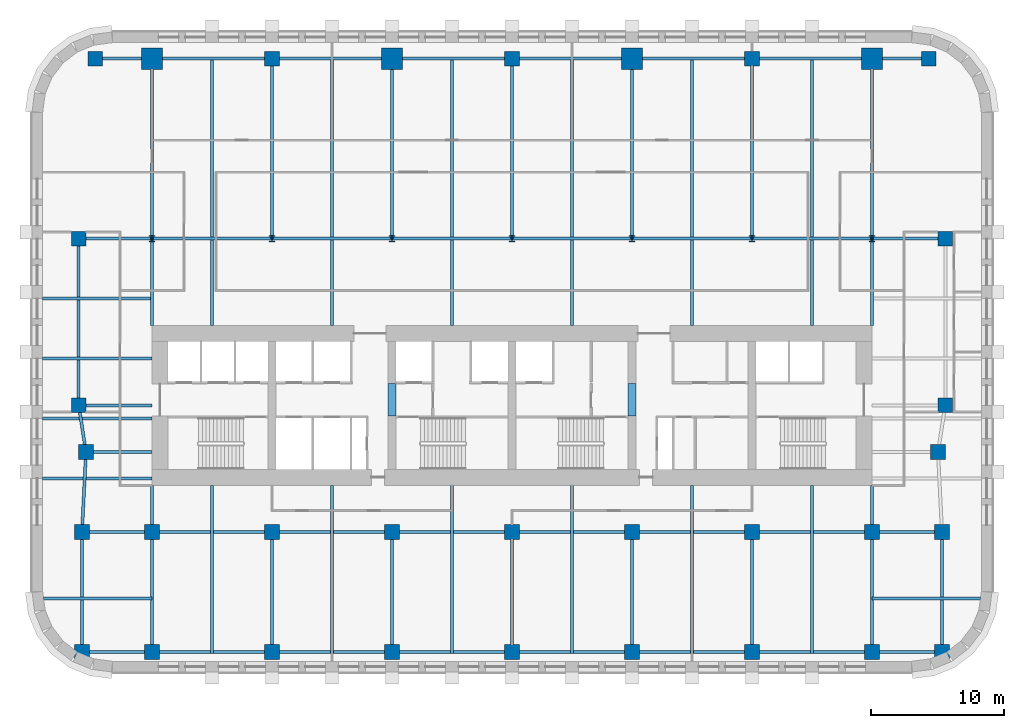
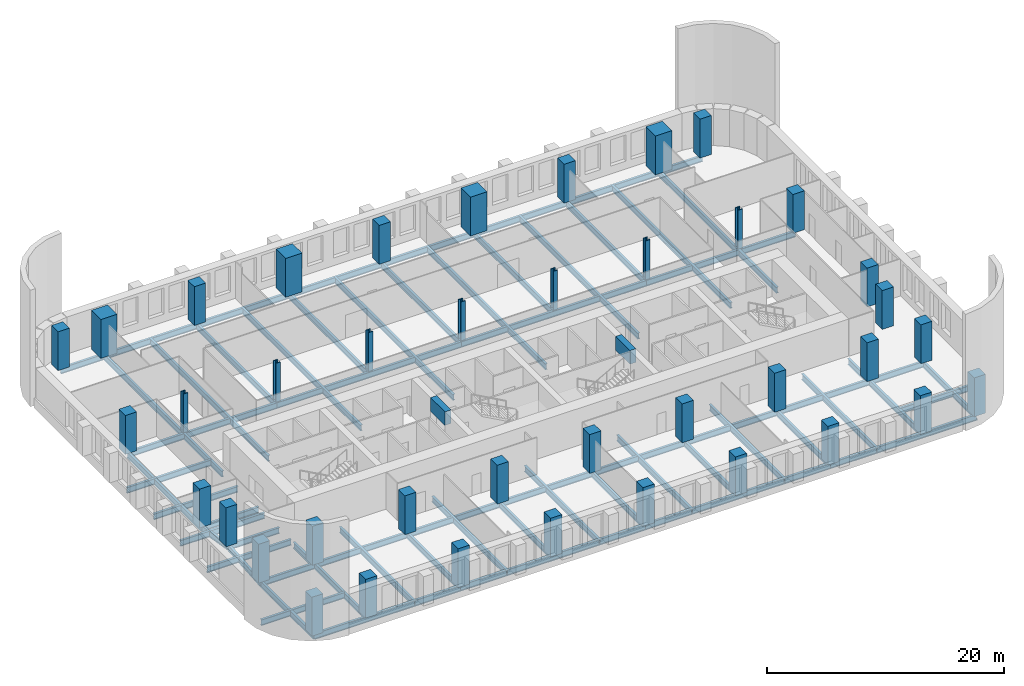
# One storey, part 1 of 12: 59 beams, 40 columns.
"""IFC4 building model written with IfcOpenShell, lengths in metres."""

from ifc_helpers import new_model, si_unit, direction, frame, origin, origin_2d, place, context, subcontext, project, spatial, rectangle, i_section, extrude, material, material_profile, profile_set, type_object, element, save


model = new_model("IFC4")

# Units and contexts
model_context = context("Model", 3, precision=1e-05, world=origin(), true_north=direction((0.0, 1.0)))
body_context = subcontext(model_context, "Body", "Model", "MODEL_VIEW")
ifc_project = project(units=[si_unit("LENGTHUNIT", "METRE"), si_unit("AREAUNIT", "SQUARE_METRE"), si_unit("VOLUMEUNIT", "CUBIC_METRE"), si_unit("PLANEANGLEUNIT", "RADIAN"), si_unit("MASSUNIT", "GRAM", prefix="KILO")], contexts=[model_context])

# Site, building, storey
site_placement = place(None, origin())
site = spatial("IfcSite", under=ifc_project, at=site_placement, CompositionType="ELEMENT")
building_placement = place(site_placement, origin())
building = spatial("IfcBuilding", under=site, at=building_placement, Name="Zellij Exchange Tower", CompositionType="ELEMENT")
storey_placement = place(building_placement, frame((0.0, 0.0, 88.5)))
storey = spatial("IfcBuildingStorey", under=building, at=storey_placement, Name="L18", CompositionType="ELEMENT", Elevation=88.5)

# Columns
ifc_material_1 = material(Name="Concrete C70/85", Category="concrete")
ifc_material_profile_1 = material_profile(ifc_material_1, rectangle(XDim=1.10009765625, YDim=1.10009765625, at=origin_2d()), Name="STR-COLUMN RC1100x1100 C70/85")
ifc_profile_set_1 = profile_set([ifc_material_profile_1], Name="Concrete C70/85")
column_type_1 = type_object("IfcColumnType", Name="STR-COLUMN RC1100x1100 C70/85", PredefinedType="COLUMN", material=ifc_profile_set_1)
for number, where, z_axis, x_axis, name in (
    (1, (-32.25, -26.5, 0.0), (0.0, 0.0, 1.0), (1.0, 0.0, 0.0), "C11"),
    (2, (-27.0, -26.5, 0.0), (0.0, 0.0, 1.0), (1.0, 0.0, 0.0), "C11"),
    (3, (-18.0, -26.5, 0.0), (0.0, 0.0, 1.0), (1.0, 0.0, 0.0), "C11"),
    (4, (-9.0, -26.5, 0.0), (0.0, 0.0, 1.0), (1.0, 0.0, 0.0), "C11"),
    (5, (0.0, -26.5, 0.0), (0.0, 0.0, 1.0), (1.0, 0.0, 0.0), "C11"),
    (6, (9.0, -26.5, 0.0), (0.0, 0.0, 1.0), (1.0, 0.0, 0.0), "C11"),
    (7, (18.0, -26.5, 0.0), (0.0, 0.0, 1.0), (1.0, 0.0, 0.0), "C11"),
    (8, (27.0, -26.5, 0.0), (0.0, 0.0, 1.0), (1.0, 0.0, 0.0), "C11"),
    (9, (32.25, -26.5, 0.0), (0.0, 0.0, 1.0), (1.0, 0.0, 0.0), "C11"),
    (10, (-32.25, -17.5, 0.0), (0.0, 0.0, 1.0), (1.0, 0.0, 0.0), "C11"),
    (11, (-27.0, -17.5, 0.0), (0.0, 0.0, 1.0), (1.0, 0.0, 0.0), "C11"),
    (12, (-18.0, -17.5, 0.0), (0.0, 0.0, 1.0), (1.0, 0.0, 0.0), "C11"),
    (13, (-9.0, -17.5, 0.0), (0.0, 0.0, 1.0), (1.0, 0.0, 0.0), "C11"),
    (14, (0.0, -17.5, 0.0), (0.0, 0.0, 1.0), (1.0, 0.0, 0.0), "C11"),
    (15, (9.0, -17.5, 0.0), (0.0, 0.0, 1.0), (1.0, 0.0, 0.0), "C11"),
    (16, (18.0, -17.5, 0.0), (0.0, 0.0, 1.0), (1.0, 0.0, 0.0), "C11"),
    (17, (27.0, -17.5, 0.0), (0.0, 0.0, 1.0), (1.0, 0.0, 0.0), "C11"),
    (18, (32.25, -17.5, 0.0), (0.0, 0.0, 1.0), (1.0, 0.0, 0.0), "C11"),
    (19, (-31.949951171875, -11.5, 0.0), (0.0, 0.0, 1.0), (1.0, 0.0, 0.0), "C11"),
    (20, (31.949951171875, -11.5, 0.0), (0.0, 0.0, 1.0), (1.0, 0.0, 0.0), "C11"),
    (21, (-32.5, -8.0, 0.0), (0.0, 0.0, 1.0), (1.0, 0.0, 0.0), "C11"),
    (22, (32.5, -8.0, 0.0), (0.0, 0.0, 1.0), (1.0, 0.0, 0.0), "C11"),
    (23, (-32.5, 4.5, 0.0), (0.0, 0.0, 1.0), (1.0, 0.0, 0.0), "C11"),
    (24, (32.5, 4.5, 0.0), (0.0, 0.0, 1.0), (1.0, 0.0, 0.0), "C11"),
    (25, (-31.25, 18.0, 0.0), (0.0, 0.0, 1.0), (1.0, 0.0, 0.0), "C11"),
    (26, (-18.0, 18.0, 0.0), (0.0, 0.0, 1.0), (1.0, 0.0, 0.0), "C11"),
    (27, (0.0, 18.0, 0.0), (0.0, 0.0, 1.0), (1.0, 0.0, 0.0), "C11"),
    (28, (18.0, 18.0, 0.0), (0.0, 0.0, 1.0), (1.0, 0.0, 0.0), "C11"),
    (29, (31.25, 18.0, 0.0), (0.0, 0.0, 1.0), (1.0, 0.0, 0.0), "C11"),
):
    element("IfcColumn", number, at=place(storey_placement, frame(where, z_axis=z_axis, x_axis=x_axis)), inside=storey, type_object=column_type_1, Name=name, PredefinedType="COLUMN", context=body_context, shape_type="SweptSolid", body=[
        extrude(rectangle(XDim=1.10009765625, YDim=1.10009765625, at=origin_2d()), origin(), (0.0, 0.0, 1.0), 4.0),
    ])
ifc_material_2 = material(Name="Structural steel ASTM A913 Gr 65", Category="steel")
ifc_material_profile_2 = material_profile(ifc_material_2, i_section(OverallWidth=0.431884765625, OverallDepth=0.497802734375, WebThickness=0.0556640625, FlangeThickness=0.0888671875, at=origin_2d()), Name="W14x500")
ifc_profile_set_2 = profile_set([ifc_material_profile_2], Name="Structural steel ASTM A913 Gr 65")
column_type_2 = type_object("IfcColumnType", Name="STR-COLUMN W14x500", PredefinedType="COLUMN", material=ifc_profile_set_2)
for number, where, z_axis, x_axis, name in (
    (30, (-27.0, 4.5, 0.0), (0.0, 0.0, 1.0), (1.0, 0.0, 0.0), "C5"),
    (31, (-18.0, 4.5, 0.0), (0.0, 0.0, 1.0), (1.0, 0.0, 0.0), "C5"),
    (32, (-9.0, 4.5, 0.0), (0.0, 0.0, 1.0), (1.0, 0.0, 0.0), "C5"),
    (33, (0.0, 4.5, 0.0), (0.0, 0.0, 1.0), (1.0, 0.0, 0.0), "C5"),
    (34, (9.0, 4.5, 0.0), (0.0, 0.0, 1.0), (1.0, 0.0, 0.0), "C5"),
    (35, (18.0, 4.5, 0.0), (0.0, 0.0, 1.0), (1.0, 0.0, 0.0), "C5"),
    (36, (27.0, 4.5, 0.0), (0.0, 0.0, 1.0), (1.0, 0.0, 0.0), "C5"),
):
    element("IfcColumn", number, at=place(storey_placement, frame(where, z_axis=z_axis, x_axis=x_axis)), inside=storey, type_object=column_type_2, Name=name, PredefinedType="COLUMN", context=body_context, shape_type="SweptSolid", body=[
        extrude(i_section(OverallWidth=0.431884765625, OverallDepth=0.497802734375, WebThickness=0.0556640625, FlangeThickness=0.0888671875, at=origin_2d()), origin(), (0.0, 0.0, 1.0), 4.0),
    ])
ifc_material_profile_3 = material_profile(ifc_material_1, rectangle(XDim=1.60009765625, YDim=1.60009765625, at=origin_2d()), Name="STR-MEGA COLUMN RC1600x1600 C70/85")
ifc_profile_set_3 = profile_set([ifc_material_profile_3], Name="Concrete C70/85")
column_type_3 = type_object("IfcColumnType", Name="STR-MEGA COLUMN RC1600x1600 C70/85", PredefinedType="COLUMN", material=ifc_profile_set_3)
for number, where, z_axis, x_axis, name in (
    (37, (-27.0, 18.0, 0.0), (0.0, 0.0, 1.0), (1.0, 0.0, 0.0), "MC6"),
    (38, (-9.0, 18.0, 0.0), (0.0, 0.0, 1.0), (1.0, 0.0, 0.0), "MC6"),
    (39, (9.0, 18.0, 0.0), (0.0, 0.0, 1.0), (1.0, 0.0, 0.0), "MC6"),
    (40, (27.0, 18.0, 0.0), (0.0, 0.0, 1.0), (1.0, 0.0, 0.0), "MC6"),
):
    element("IfcColumn", number, at=place(storey_placement, frame(where, z_axis=z_axis, x_axis=x_axis)), inside=storey, type_object=column_type_3, Name=name, PredefinedType="COLUMN", context=body_context, shape_type="SweptSolid", body=[
        extrude(rectangle(XDim=1.60009765625, YDim=1.60009765625, at=origin_2d()), origin(), (0.0, 0.0, 1.0), 4.0),
    ])

# Beams
ifc_material_profile_4 = material_profile(ifc_material_1, rectangle(XDim=0.60009765625, YDim=1.39990234375, at=origin_2d()), Name="CORE-CB 600x1400 C70/85")
ifc_profile_set_4 = profile_set([ifc_material_profile_4], Name="Concrete C70/85")
beam_type_1 = type_object("IfcBeamType", Name="CORE-CB 600x1400 C70/85", PredefinedType="BEAM", material=ifc_profile_set_4)
for number, where, z_axis, x_axis, name in (
    (41, (-9.0, -8.800048828125, 3.10009765625), (0.0, 1.0, 0.0), (-1.0, 0.0, 0.0), "Core coupling beam x -9 L18"),
    (42, (9.0, -8.800048828125, 3.10009765625), (0.0, 1.0, 0.0), (-1.0, 0.0, 0.0), "Core coupling beam x 9 L18"),
):
    element("IfcBeam", number, at=place(storey_placement, frame(where, z_axis=z_axis, x_axis=x_axis)), inside=storey, type_object=beam_type_1, Name=name, PredefinedType="BEAM", context=body_context, shape_type="SweptSolid", body=[
        extrude(rectangle(XDim=0.60009765625, YDim=1.39990234375, at=origin_2d()), origin(), (0.0, 0.0, 1.0), 2.425048828125),
    ])
ifc_material_3 = material(Name="Structural steel ASTM A992 Gr 50", Category="steel")
ifc_material_profile_5 = material_profile(ifc_material_3, i_section(OverallWidth=0.227783203125, OverallDepth=0.60205078125, WebThickness=0.010498046875, FlangeThickness=0.014892578125, at=origin_2d()), Name="W24x68")
ifc_profile_set_5 = profile_set([ifc_material_profile_5], Name="Structural steel ASTM A992 Gr 50")
beam_type_2 = type_object("IfcBeamType", Name="STR-BEAM W24x68", PredefinedType="BEAM", material=ifc_profile_set_5)
beam_1_placement = place(storey_placement, frame((-22.5, -26.614501953125, -0.5009765625), z_axis=(0.0, 1.0, 0.0), x_axis=(-1.0, 0.0, 0.0)))
element("IfcBeam", 43, at=beam_1_placement, inside=storey, type_object=beam_type_2, Name="B5", PredefinedType="BEAM", context=body_context, shape_type="SweptSolid", body=[
    extrude(i_section(OverallWidth=0.227783203125, OverallDepth=0.60205078125, WebThickness=0.010498046875, FlangeThickness=0.014892578125, at=origin_2d()), origin(), (0.0, 0.0, 1.0), 12.614501953125),
])
beam_2_placement = place(storey_placement, frame((-22.5, -2.0, -0.5009765625), z_axis=(0.0, 1.0, 0.0), x_axis=(-1.0, 0.0, 0.0)))
element("IfcBeam", 44, at=beam_2_placement, inside=storey, type_object=beam_type_2, Name="B5", PredefinedType="BEAM", context=body_context, shape_type="SweptSolid", body=[
    extrude(i_section(OverallWidth=0.227783203125, OverallDepth=0.60205078125, WebThickness=0.010498046875, FlangeThickness=0.014892578125, at=origin_2d()), origin(), (0.0, 0.0, 1.0), 20.114501953125),
])
beam_3_placement = place(storey_placement, frame((-13.5, -26.614501953125, -0.5009765625), z_axis=(0.0, 1.0, 0.0), x_axis=(-1.0, 0.0, 0.0)))
element("IfcBeam", 45, at=beam_3_placement, inside=storey, type_object=beam_type_2, Name="B5", PredefinedType="BEAM", context=body_context, shape_type="SweptSolid", body=[
    extrude(i_section(OverallWidth=0.227783203125, OverallDepth=0.60205078125, WebThickness=0.010498046875, FlangeThickness=0.014892578125, at=origin_2d()), origin(), (0.0, 0.0, 1.0), 12.614501953125),
])
beam_4_placement = place(storey_placement, frame((-13.5, -2.0, -0.5009765625), z_axis=(0.0, 1.0, 0.0), x_axis=(-1.0, 0.0, 0.0)))
element("IfcBeam", 46, at=beam_4_placement, inside=storey, type_object=beam_type_2, Name="B5", PredefinedType="BEAM", context=body_context, shape_type="SweptSolid", body=[
    extrude(i_section(OverallWidth=0.227783203125, OverallDepth=0.60205078125, WebThickness=0.010498046875, FlangeThickness=0.014892578125, at=origin_2d()), origin(), (0.0, 0.0, 1.0), 20.114501953125),
])
beam_5_placement = place(storey_placement, frame((-4.5, -26.614501953125, -0.5009765625), z_axis=(0.0, 1.0, 0.0), x_axis=(-1.0, 0.0, 0.0)))
element("IfcBeam", 47, at=beam_5_placement, inside=storey, type_object=beam_type_2, Name="B5", PredefinedType="BEAM", context=body_context, shape_type="SweptSolid", body=[
    extrude(i_section(OverallWidth=0.227783203125, OverallDepth=0.60205078125, WebThickness=0.010498046875, FlangeThickness=0.014892578125, at=origin_2d()), origin(), (0.0, 0.0, 1.0), 12.614501953125),
])
beam_6_placement = place(storey_placement, frame((-4.5, -2.0, -0.5009765625), z_axis=(0.0, 1.0, 0.0), x_axis=(-1.0, 0.0, 0.0)))
element("IfcBeam", 48, at=beam_6_placement, inside=storey, type_object=beam_type_2, Name="B5", PredefinedType="BEAM", context=body_context, shape_type="SweptSolid", body=[
    extrude(i_section(OverallWidth=0.227783203125, OverallDepth=0.60205078125, WebThickness=0.010498046875, FlangeThickness=0.014892578125, at=origin_2d()), origin(), (0.0, 0.0, 1.0), 20.114501953125),
])
beam_7_placement = place(storey_placement, frame((4.5, -26.614501953125, -0.5009765625), z_axis=(0.0, 1.0, 0.0), x_axis=(-1.0, 0.0, 0.0)))
element("IfcBeam", 49, at=beam_7_placement, inside=storey, type_object=beam_type_2, Name="B5", PredefinedType="BEAM", context=body_context, shape_type="SweptSolid", body=[
    extrude(i_section(OverallWidth=0.227783203125, OverallDepth=0.60205078125, WebThickness=0.010498046875, FlangeThickness=0.014892578125, at=origin_2d()), origin(), (0.0, 0.0, 1.0), 12.614501953125),
])
beam_8_placement = place(storey_placement, frame((4.5, -2.0, -0.5009765625), z_axis=(0.0, 1.0, 0.0), x_axis=(-1.0, 0.0, 0.0)))
element("IfcBeam", 50, at=beam_8_placement, inside=storey, type_object=beam_type_2, Name="B5", PredefinedType="BEAM", context=body_context, shape_type="SweptSolid", body=[
    extrude(i_section(OverallWidth=0.227783203125, OverallDepth=0.60205078125, WebThickness=0.010498046875, FlangeThickness=0.014892578125, at=origin_2d()), origin(), (0.0, 0.0, 1.0), 20.114501953125),
])
beam_9_placement = place(storey_placement, frame((13.5, -26.614501953125, -0.5009765625), z_axis=(0.0, 1.0, 0.0), x_axis=(-1.0, 0.0, 0.0)))
element("IfcBeam", 51, at=beam_9_placement, inside=storey, type_object=beam_type_2, Name="B5", PredefinedType="BEAM", context=body_context, shape_type="SweptSolid", body=[
    extrude(i_section(OverallWidth=0.227783203125, OverallDepth=0.60205078125, WebThickness=0.010498046875, FlangeThickness=0.014892578125, at=origin_2d()), origin(), (0.0, 0.0, 1.0), 12.614501953125),
])
beam_10_placement = place(storey_placement, frame((13.5, -2.0, -0.5009765625), z_axis=(0.0, 1.0, 0.0), x_axis=(-1.0, 0.0, 0.0)))
element("IfcBeam", 52, at=beam_10_placement, inside=storey, type_object=beam_type_2, Name="B5", PredefinedType="BEAM", context=body_context, shape_type="SweptSolid", body=[
    extrude(i_section(OverallWidth=0.227783203125, OverallDepth=0.60205078125, WebThickness=0.010498046875, FlangeThickness=0.014892578125, at=origin_2d()), origin(), (0.0, 0.0, 1.0), 20.114501953125),
])
beam_11_placement = place(storey_placement, frame((22.5, -26.614501953125, -0.5009765625), z_axis=(0.0, 1.0, 0.0), x_axis=(-1.0, 0.0, 0.0)))
element("IfcBeam", 53, at=beam_11_placement, inside=storey, type_object=beam_type_2, Name="B5", PredefinedType="BEAM", context=body_context, shape_type="SweptSolid", body=[
    extrude(i_section(OverallWidth=0.227783203125, OverallDepth=0.60205078125, WebThickness=0.010498046875, FlangeThickness=0.014892578125, at=origin_2d()), origin(), (0.0, 0.0, 1.0), 12.614501953125),
])
beam_12_placement = place(storey_placement, frame((22.5, -2.0, -0.5009765625), z_axis=(0.0, 1.0, 0.0), x_axis=(-1.0, 0.0, 0.0)))
element("IfcBeam", 54, at=beam_12_placement, inside=storey, type_object=beam_type_2, Name="B5", PredefinedType="BEAM", context=body_context, shape_type="SweptSolid", body=[
    extrude(i_section(OverallWidth=0.227783203125, OverallDepth=0.60205078125, WebThickness=0.010498046875, FlangeThickness=0.014892578125, at=origin_2d()), origin(), (0.0, 0.0, 1.0), 20.114501953125),
])
beam_13_placement = place(storey_placement, frame((-35.126953125, -22.5, -0.5009765625), z_axis=(1.0, 0.0, 0.0), x_axis=(0.0, 1.0, 0.0)))
element("IfcBeam", 55, at=beam_13_placement, inside=storey, type_object=beam_type_2, Name="B5", PredefinedType="BEAM", context=body_context, shape_type="SweptSolid", body=[
    extrude(i_section(OverallWidth=0.227783203125, OverallDepth=0.60205078125, WebThickness=0.010498046875, FlangeThickness=0.014892578125, at=origin_2d()), origin(), (0.0, 0.0, 1.0), 8.126953125),
])
for number, where, z_axis, x_axis, name in (
    (56, (-35.199951171875, -13.5, -0.5009765625), (1.0, 0.0, 0.0), (0.0, 1.0, 0.0), "B5"),
    (57, (-35.199951171875, -9.0, -0.5009765625), (1.0, 0.0, 0.0), (0.0, 1.0, 0.0), "B5"),
    (58, (-35.199951171875, -4.5, -0.5009765625), (1.0, 0.0, 0.0), (0.0, 1.0, 0.0), "B5"),
    (59, (-35.199951171875, 0.0, -0.5009765625), (1.0, 0.0, 0.0), (0.0, 1.0, 0.0), "B5"),
):
    element("IfcBeam", number, at=place(storey_placement, frame(where, z_axis=z_axis, x_axis=x_axis)), inside=storey, type_object=beam_type_2, Name=name, PredefinedType="BEAM", context=body_context, shape_type="SweptSolid", body=[
        extrude(i_section(OverallWidth=0.227783203125, OverallDepth=0.60205078125, WebThickness=0.010498046875, FlangeThickness=0.014892578125, at=origin_2d()), origin(), (0.0, 0.0, 1.0), 8.199951171875),
    ])
beam_14_placement = place(storey_placement, frame((27.0, -22.5, -0.5009765625), z_axis=(1.0, 0.0, 0.0), x_axis=(0.0, 1.0, 0.0)))
element("IfcBeam", 60, at=beam_14_placement, inside=storey, type_object=beam_type_2, Name="B5", PredefinedType="BEAM", context=body_context, shape_type="SweptSolid", body=[
    extrude(i_section(OverallWidth=0.227783203125, OverallDepth=0.60205078125, WebThickness=0.010498046875, FlangeThickness=0.014892578125, at=origin_2d()), origin(), (0.0, 0.0, 1.0), 8.126953125),
])
ifc_material_profile_6 = material_profile(ifc_material_3, i_section(OverallWidth=0.22900390625, OverallDepth=0.612060546875, WebThickness=0.011962890625, FlangeThickness=0.01953125, at=origin_2d()), Name="W24x84")
ifc_profile_set_6 = profile_set([ifc_material_profile_6], Name="Structural steel ASTM A992 Gr 50")
beam_type_3 = type_object("IfcBeamType", Name="STR-EDGE GIRDER W24x84", PredefinedType="BEAM", material=ifc_profile_set_6)
beam_15_placement = place(storey_placement, frame((-32.25, -26.5, -0.506103515625), z_axis=(0.0, 1.0, 0.0), x_axis=(-1.0, 0.0, 0.0)))
element("IfcBeam", 61, at=beam_15_placement, inside=storey, type_object=beam_type_3, Name="EB6", PredefinedType="BEAM", context=body_context, shape_type="SweptSolid", body=[
    extrude(i_section(OverallWidth=0.22900390625, OverallDepth=0.612060546875, WebThickness=0.011962890625, FlangeThickness=0.01953125, at=origin_2d()), origin(), (0.0, 0.0, 1.0), 9.0),
])
beam_16_placement = place(storey_placement, frame((-32.25, -17.5, -0.506103515625), z_axis=(0.049945724537, 0.998751933465, 0.0), x_axis=(-0.998751933465, 0.049945724537, 0.0)))
element("IfcBeam", 62, at=beam_16_placement, inside=storey, type_object=beam_type_3, Name="EB6", PredefinedType="BEAM", context=body_context, shape_type="SweptSolid", body=[
    extrude(i_section(OverallWidth=0.22900390625, OverallDepth=0.612060546875, WebThickness=0.011962890625, FlangeThickness=0.01953125, at=origin_2d()), origin(), (0.0, 0.0, 1.0), 6.007568359375),
])
beam_17_placement = place(storey_placement, frame((-31.949951171875, -11.5, -0.506103515625), z_axis=(-0.155251283593, 0.987875011802, 0.0), x_axis=(-0.987875011802, -0.155251283593, 0.0)))
element("IfcBeam", 63, at=beam_17_placement, inside=storey, type_object=beam_type_3, Name="EB6", PredefinedType="BEAM", context=body_context, shape_type="SweptSolid", body=[
    extrude(i_section(OverallWidth=0.22900390625, OverallDepth=0.612060546875, WebThickness=0.011962890625, FlangeThickness=0.01953125, at=origin_2d()), origin(), (0.0, 0.0, 1.0), 3.54296875),
])
beam_18_placement = place(storey_placement, frame((-32.5, -8.0, -0.506103515625), z_axis=(0.0, 1.0, 0.0), x_axis=(-1.0, 0.0, 0.0)))
element("IfcBeam", 64, at=beam_18_placement, inside=storey, type_object=beam_type_3, Name="EB6", PredefinedType="BEAM", context=body_context, shape_type="SweptSolid", body=[
    extrude(i_section(OverallWidth=0.22900390625, OverallDepth=0.612060546875, WebThickness=0.011962890625, FlangeThickness=0.01953125, at=origin_2d()), origin(), (0.0, 0.0, 1.0), 12.5),
])
beam_19_placement = place(storey_placement, frame((32.25, -26.5, -0.506103515625), z_axis=(0.0, 1.0, 0.0), x_axis=(-1.0, 0.0, 0.0)))
element("IfcBeam", 65, at=beam_19_placement, inside=storey, type_object=beam_type_3, Name="EB6", PredefinedType="BEAM", context=body_context, shape_type="SweptSolid", body=[
    extrude(i_section(OverallWidth=0.22900390625, OverallDepth=0.612060546875, WebThickness=0.011962890625, FlangeThickness=0.01953125, at=origin_2d()), origin(), (0.0, 0.0, 1.0), 9.0),
])
ifc_material_profile_7 = material_profile(ifc_material_3, i_section(OverallWidth=0.22900390625, OverallDepth=0.612060546875, WebThickness=0.011962890625, FlangeThickness=0.01953125, at=origin_2d()), Name="W24x84")
ifc_profile_set_7 = profile_set([ifc_material_profile_7], Name="Structural steel ASTM A992 Gr 50")
beam_type_4 = type_object("IfcBeamType", Name="STR-GIRDER W24x84", PredefinedType="BEAM", material=ifc_profile_set_7)
beam_20_placement = place(storey_placement, frame((-32.25, -26.5, -0.506103515625), z_axis=(1.0, 0.0, 0.0), x_axis=(0.0, 1.0, 0.0)))
element("IfcBeam", 66, at=beam_20_placement, inside=storey, type_object=beam_type_4, Name="G4", PredefinedType="BEAM", context=body_context, shape_type="SweptSolid", body=[
    extrude(i_section(OverallWidth=0.22900390625, OverallDepth=0.612060546875, WebThickness=0.011962890625, FlangeThickness=0.01953125, at=origin_2d()), origin(), (0.0, 0.0, 1.0), 14.25),
])
for number, where, z_axis, x_axis, name in (
    (67, (-18.0, -26.5, -0.506103515625), (1.0, 0.0, 0.0), (0.0, 1.0, 0.0), "G4"),
    (68, (0.0, -26.5, -0.506103515625), (1.0, 0.0, 0.0), (0.0, 1.0, 0.0), "G4"),
):
    element("IfcBeam", number, at=place(storey_placement, frame(where, z_axis=z_axis, x_axis=x_axis)), inside=storey, type_object=beam_type_4, Name=name, PredefinedType="BEAM", context=body_context, shape_type="SweptSolid", body=[
        extrude(i_section(OverallWidth=0.22900390625, OverallDepth=0.612060546875, WebThickness=0.011962890625, FlangeThickness=0.01953125, at=origin_2d()), origin(), (0.0, 0.0, 1.0), 18.0),
    ])
for number, where, z_axis, x_axis, name in (
    (69, (18.0, -26.5, -0.506103515625), (1.0, 0.0, 0.0), (0.0, 1.0, 0.0), "G4"),
    (70, (-32.25, -17.5, -0.506103515625), (1.0, 0.0, 0.0), (0.0, 1.0, 0.0), "G4"),
):
    element("IfcBeam", number, at=place(storey_placement, frame(where, z_axis=z_axis, x_axis=x_axis)), inside=storey, type_object=beam_type_4, Name=name, PredefinedType="BEAM", context=body_context, shape_type="SweptSolid", body=[
        extrude(i_section(OverallWidth=0.22900390625, OverallDepth=0.612060546875, WebThickness=0.011962890625, FlangeThickness=0.01953125, at=origin_2d()), origin(), (0.0, 0.0, 1.0), 14.25),
    ])
for number, where, z_axis, x_axis, name in (
    (71, (-18.0, -17.5, -0.506103515625), (1.0, 0.0, 0.0), (0.0, 1.0, 0.0), "G4"),
    (72, (0.0, -17.5, -0.506103515625), (1.0, 0.0, 0.0), (0.0, 1.0, 0.0), "G4"),
):
    element("IfcBeam", number, at=place(storey_placement, frame(where, z_axis=z_axis, x_axis=x_axis)), inside=storey, type_object=beam_type_4, Name=name, PredefinedType="BEAM", context=body_context, shape_type="SweptSolid", body=[
        extrude(i_section(OverallWidth=0.22900390625, OverallDepth=0.612060546875, WebThickness=0.011962890625, FlangeThickness=0.01953125, at=origin_2d()), origin(), (0.0, 0.0, 1.0), 18.0),
    ])
beam_21_placement = place(storey_placement, frame((18.0, -17.5, -0.506103515625), z_axis=(1.0, 0.0, 0.0), x_axis=(0.0, 1.0, 0.0)))
element("IfcBeam", 73, at=beam_21_placement, inside=storey, type_object=beam_type_4, Name="G4", PredefinedType="BEAM", context=body_context, shape_type="SweptSolid", body=[
    extrude(i_section(OverallWidth=0.22900390625, OverallDepth=0.612060546875, WebThickness=0.011962890625, FlangeThickness=0.01953125, at=origin_2d()), origin(), (0.0, 0.0, 1.0), 14.25),
])
beam_22_placement = place(storey_placement, frame((-31.949951171875, -11.5, -0.506103515625), z_axis=(1.0, 0.0, 0.0), x_axis=(0.0, 1.0, 0.0)))
element("IfcBeam", 74, at=beam_22_placement, inside=storey, type_object=beam_type_4, Name="G4", PredefinedType="BEAM", context=body_context, shape_type="SweptSolid", body=[
    extrude(i_section(OverallWidth=0.22900390625, OverallDepth=0.612060546875, WebThickness=0.011962890625, FlangeThickness=0.01953125, at=origin_2d()), origin(), (0.0, 0.0, 1.0), 4.949951171875),
])
beam_23_placement = place(storey_placement, frame((-32.5, -8.0, -0.506103515625), z_axis=(1.0, 0.0, 0.0), x_axis=(0.0, 1.0, 0.0)))
element("IfcBeam", 75, at=beam_23_placement, inside=storey, type_object=beam_type_4, Name="G4", PredefinedType="BEAM", context=body_context, shape_type="SweptSolid", body=[
    extrude(i_section(OverallWidth=0.22900390625, OverallDepth=0.612060546875, WebThickness=0.011962890625, FlangeThickness=0.01953125, at=origin_2d()), origin(), (0.0, 0.0, 1.0), 5.5),
])
beam_24_placement = place(storey_placement, frame((-32.5, 4.5, -0.506103515625), z_axis=(1.0, 0.0, 0.0), x_axis=(0.0, 1.0, 0.0)))
element("IfcBeam", 76, at=beam_24_placement, inside=storey, type_object=beam_type_4, Name="G4", PredefinedType="BEAM", context=body_context, shape_type="SweptSolid", body=[
    extrude(i_section(OverallWidth=0.22900390625, OverallDepth=0.612060546875, WebThickness=0.011962890625, FlangeThickness=0.01953125, at=origin_2d()), origin(), (0.0, 0.0, 1.0), 14.5),
])
for number, where, z_axis, x_axis, name in (
    (77, (-18.0, 4.5, -0.506103515625), (1.0, 0.0, 0.0), (0.0, 1.0, 0.0), "G4"),
    (78, (0.0, 4.5, -0.506103515625), (1.0, 0.0, 0.0), (0.0, 1.0, 0.0), "G4"),
):
    element("IfcBeam", number, at=place(storey_placement, frame(where, z_axis=z_axis, x_axis=x_axis)), inside=storey, type_object=beam_type_4, Name=name, PredefinedType="BEAM", context=body_context, shape_type="SweptSolid", body=[
        extrude(i_section(OverallWidth=0.22900390625, OverallDepth=0.612060546875, WebThickness=0.011962890625, FlangeThickness=0.01953125, at=origin_2d()), origin(), (0.0, 0.0, 1.0), 18.0),
    ])
beam_25_placement = place(storey_placement, frame((18.0, 4.5, -0.506103515625), z_axis=(1.0, 0.0, 0.0), x_axis=(0.0, 1.0, 0.0)))
element("IfcBeam", 79, at=beam_25_placement, inside=storey, type_object=beam_type_4, Name="G4", PredefinedType="BEAM", context=body_context, shape_type="SweptSolid", body=[
    extrude(i_section(OverallWidth=0.22900390625, OverallDepth=0.612060546875, WebThickness=0.011962890625, FlangeThickness=0.01953125, at=origin_2d()), origin(), (0.0, 0.0, 1.0), 14.5),
])
beam_26_placement = place(storey_placement, frame((-31.25, 18.0, -0.506103515625), z_axis=(1.0, 0.0, 0.0), x_axis=(0.0, 1.0, 0.0)))
element("IfcBeam", 80, at=beam_26_placement, inside=storey, type_object=beam_type_4, Name="G4", PredefinedType="BEAM", context=body_context, shape_type="SweptSolid", body=[
    extrude(i_section(OverallWidth=0.22900390625, OverallDepth=0.612060546875, WebThickness=0.011962890625, FlangeThickness=0.01953125, at=origin_2d()), origin(), (0.0, 0.0, 1.0), 13.25),
])
for number, where, z_axis, x_axis, name in (
    (81, (-18.0, 18.0, -0.506103515625), (1.0, 0.0, 0.0), (0.0, 1.0, 0.0), "G4"),
    (82, (0.0, 18.0, -0.506103515625), (1.0, 0.0, 0.0), (0.0, 1.0, 0.0), "G4"),
):
    element("IfcBeam", number, at=place(storey_placement, frame(where, z_axis=z_axis, x_axis=x_axis)), inside=storey, type_object=beam_type_4, Name=name, PredefinedType="BEAM", context=body_context, shape_type="SweptSolid", body=[
        extrude(i_section(OverallWidth=0.22900390625, OverallDepth=0.612060546875, WebThickness=0.011962890625, FlangeThickness=0.01953125, at=origin_2d()), origin(), (0.0, 0.0, 1.0), 18.0),
    ])
beam_27_placement = place(storey_placement, frame((18.0, 18.0, -0.506103515625), z_axis=(1.0, 0.0, 0.0), x_axis=(0.0, 1.0, 0.0)))
element("IfcBeam", 83, at=beam_27_placement, inside=storey, type_object=beam_type_4, Name="G4", PredefinedType="BEAM", context=body_context, shape_type="SweptSolid", body=[
    extrude(i_section(OverallWidth=0.22900390625, OverallDepth=0.612060546875, WebThickness=0.011962890625, FlangeThickness=0.01953125, at=origin_2d()), origin(), (0.0, 0.0, 1.0), 13.25),
])
beam_28_placement = place(storey_placement, frame((-27.0, -26.5, -0.506103515625), z_axis=(0.0, 1.0, 0.0), x_axis=(-1.0, 0.0, 0.0)))
element("IfcBeam", 84, at=beam_28_placement, inside=storey, type_object=beam_type_4, Name="G4", PredefinedType="BEAM", context=body_context, shape_type="SweptSolid", body=[
    extrude(i_section(OverallWidth=0.22900390625, OverallDepth=0.612060546875, WebThickness=0.011962890625, FlangeThickness=0.01953125, at=origin_2d()), origin(), (0.0, 0.0, 1.0), 12.5),
])
beam_29_placement = place(storey_placement, frame((-27.0, -2.0, -0.506103515625), z_axis=(0.0, 1.0, 0.0), x_axis=(-1.0, 0.0, 0.0)))
element("IfcBeam", 85, at=beam_29_placement, inside=storey, type_object=beam_type_4, Name="G4", PredefinedType="BEAM", context=body_context, shape_type="SweptSolid", body=[
    extrude(i_section(OverallWidth=0.22900390625, OverallDepth=0.612060546875, WebThickness=0.011962890625, FlangeThickness=0.01953125, at=origin_2d()), origin(), (0.0, 0.0, 1.0), 6.5),
])
beam_30_placement = place(storey_placement, frame((-27.0, 4.5, -0.506103515625), z_axis=(0.0, 1.0, 0.0), x_axis=(-1.0, 0.0, 0.0)))
element("IfcBeam", 86, at=beam_30_placement, inside=storey, type_object=beam_type_4, Name="G4", PredefinedType="BEAM", context=body_context, shape_type="SweptSolid", body=[
    extrude(i_section(OverallWidth=0.22900390625, OverallDepth=0.612060546875, WebThickness=0.011962890625, FlangeThickness=0.01953125, at=origin_2d()), origin(), (0.0, 0.0, 1.0), 13.5),
])
beam_31_placement = place(storey_placement, frame((-18.0, -26.5, -0.506103515625), z_axis=(0.0, 1.0, 0.0), x_axis=(-1.0, 0.0, 0.0)))
element("IfcBeam", 87, at=beam_31_placement, inside=storey, type_object=beam_type_4, Name="G4", PredefinedType="BEAM", context=body_context, shape_type="SweptSolid", body=[
    extrude(i_section(OverallWidth=0.22900390625, OverallDepth=0.612060546875, WebThickness=0.011962890625, FlangeThickness=0.01953125, at=origin_2d()), origin(), (0.0, 0.0, 1.0), 9.0),
])
beam_32_placement = place(storey_placement, frame((-18.0, 4.5, -0.506103515625), z_axis=(0.0, 1.0, 0.0), x_axis=(-1.0, 0.0, 0.0)))
element("IfcBeam", 88, at=beam_32_placement, inside=storey, type_object=beam_type_4, Name="G4", PredefinedType="BEAM", context=body_context, shape_type="SweptSolid", body=[
    extrude(i_section(OverallWidth=0.22900390625, OverallDepth=0.612060546875, WebThickness=0.011962890625, FlangeThickness=0.01953125, at=origin_2d()), origin(), (0.0, 0.0, 1.0), 13.5),
])
beam_33_placement = place(storey_placement, frame((-9.0, -26.5, -0.506103515625), z_axis=(0.0, 1.0, 0.0), x_axis=(-1.0, 0.0, 0.0)))
element("IfcBeam", 89, at=beam_33_placement, inside=storey, type_object=beam_type_4, Name="G4", PredefinedType="BEAM", context=body_context, shape_type="SweptSolid", body=[
    extrude(i_section(OverallWidth=0.22900390625, OverallDepth=0.612060546875, WebThickness=0.011962890625, FlangeThickness=0.01953125, at=origin_2d()), origin(), (0.0, 0.0, 1.0), 9.0),
])
beam_34_placement = place(storey_placement, frame((-9.0, 4.5, -0.506103515625), z_axis=(0.0, 1.0, 0.0), x_axis=(-1.0, 0.0, 0.0)))
element("IfcBeam", 90, at=beam_34_placement, inside=storey, type_object=beam_type_4, Name="G4", PredefinedType="BEAM", context=body_context, shape_type="SweptSolid", body=[
    extrude(i_section(OverallWidth=0.22900390625, OverallDepth=0.612060546875, WebThickness=0.011962890625, FlangeThickness=0.01953125, at=origin_2d()), origin(), (0.0, 0.0, 1.0), 13.5),
])
beam_35_placement = place(storey_placement, frame((0.0, -26.5, -0.506103515625), z_axis=(0.0, 1.0, 0.0), x_axis=(-1.0, 0.0, 0.0)))
element("IfcBeam", 91, at=beam_35_placement, inside=storey, type_object=beam_type_4, Name="G4", PredefinedType="BEAM", context=body_context, shape_type="SweptSolid", body=[
    extrude(i_section(OverallWidth=0.22900390625, OverallDepth=0.612060546875, WebThickness=0.011962890625, FlangeThickness=0.01953125, at=origin_2d()), origin(), (0.0, 0.0, 1.0), 9.0),
])
beam_36_placement = place(storey_placement, frame((0.0, 4.5, -0.506103515625), z_axis=(0.0, 1.0, 0.0), x_axis=(-1.0, 0.0, 0.0)))
element("IfcBeam", 92, at=beam_36_placement, inside=storey, type_object=beam_type_4, Name="G4", PredefinedType="BEAM", context=body_context, shape_type="SweptSolid", body=[
    extrude(i_section(OverallWidth=0.22900390625, OverallDepth=0.612060546875, WebThickness=0.011962890625, FlangeThickness=0.01953125, at=origin_2d()), origin(), (0.0, 0.0, 1.0), 13.5),
])
beam_37_placement = place(storey_placement, frame((9.0, -26.5, -0.506103515625), z_axis=(0.0, 1.0, 0.0), x_axis=(-1.0, 0.0, 0.0)))
element("IfcBeam", 93, at=beam_37_placement, inside=storey, type_object=beam_type_4, Name="G4", PredefinedType="BEAM", context=body_context, shape_type="SweptSolid", body=[
    extrude(i_section(OverallWidth=0.22900390625, OverallDepth=0.612060546875, WebThickness=0.011962890625, FlangeThickness=0.01953125, at=origin_2d()), origin(), (0.0, 0.0, 1.0), 9.0),
])
beam_38_placement = place(storey_placement, frame((9.0, 4.5, -0.506103515625), z_axis=(0.0, 1.0, 0.0), x_axis=(-1.0, 0.0, 0.0)))
element("IfcBeam", 94, at=beam_38_placement, inside=storey, type_object=beam_type_4, Name="G4", PredefinedType="BEAM", context=body_context, shape_type="SweptSolid", body=[
    extrude(i_section(OverallWidth=0.22900390625, OverallDepth=0.612060546875, WebThickness=0.011962890625, FlangeThickness=0.01953125, at=origin_2d()), origin(), (0.0, 0.0, 1.0), 13.5),
])
beam_39_placement = place(storey_placement, frame((18.0, -26.5, -0.506103515625), z_axis=(0.0, 1.0, 0.0), x_axis=(-1.0, 0.0, 0.0)))
element("IfcBeam", 95, at=beam_39_placement, inside=storey, type_object=beam_type_4, Name="G4", PredefinedType="BEAM", context=body_context, shape_type="SweptSolid", body=[
    extrude(i_section(OverallWidth=0.22900390625, OverallDepth=0.612060546875, WebThickness=0.011962890625, FlangeThickness=0.01953125, at=origin_2d()), origin(), (0.0, 0.0, 1.0), 9.0),
])
beam_40_placement = place(storey_placement, frame((18.0, 4.5, -0.506103515625), z_axis=(0.0, 1.0, 0.0), x_axis=(-1.0, 0.0, 0.0)))
element("IfcBeam", 96, at=beam_40_placement, inside=storey, type_object=beam_type_4, Name="G4", PredefinedType="BEAM", context=body_context, shape_type="SweptSolid", body=[
    extrude(i_section(OverallWidth=0.22900390625, OverallDepth=0.612060546875, WebThickness=0.011962890625, FlangeThickness=0.01953125, at=origin_2d()), origin(), (0.0, 0.0, 1.0), 13.5),
])
beam_41_placement = place(storey_placement, frame((27.0, -26.5, -0.506103515625), z_axis=(0.0, 1.0, 0.0), x_axis=(-1.0, 0.0, 0.0)))
element("IfcBeam", 97, at=beam_41_placement, inside=storey, type_object=beam_type_4, Name="G4", PredefinedType="BEAM", context=body_context, shape_type="SweptSolid", body=[
    extrude(i_section(OverallWidth=0.22900390625, OverallDepth=0.612060546875, WebThickness=0.011962890625, FlangeThickness=0.01953125, at=origin_2d()), origin(), (0.0, 0.0, 1.0), 12.5),
])
beam_42_placement = place(storey_placement, frame((27.0, -2.0, -0.506103515625), z_axis=(0.0, 1.0, 0.0), x_axis=(-1.0, 0.0, 0.0)))
element("IfcBeam", 98, at=beam_42_placement, inside=storey, type_object=beam_type_4, Name="G4", PredefinedType="BEAM", context=body_context, shape_type="SweptSolid", body=[
    extrude(i_section(OverallWidth=0.22900390625, OverallDepth=0.612060546875, WebThickness=0.011962890625, FlangeThickness=0.01953125, at=origin_2d()), origin(), (0.0, 0.0, 1.0), 6.5),
])
beam_43_placement = place(storey_placement, frame((27.0, 4.5, -0.506103515625), z_axis=(0.0, 1.0, 0.0), x_axis=(-1.0, 0.0, 0.0)))
element("IfcBeam", 99, at=beam_43_placement, inside=storey, type_object=beam_type_4, Name="G4", PredefinedType="BEAM", context=body_context, shape_type="SweptSolid", body=[
    extrude(i_section(OverallWidth=0.22900390625, OverallDepth=0.612060546875, WebThickness=0.011962890625, FlangeThickness=0.01953125, at=origin_2d()), origin(), (0.0, 0.0, 1.0), 13.5),
])

save(model, "model.ifc")
